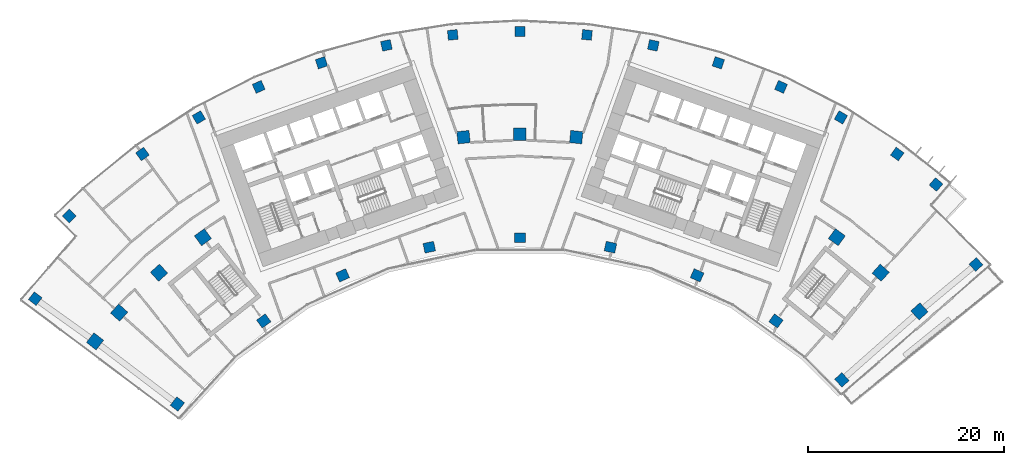
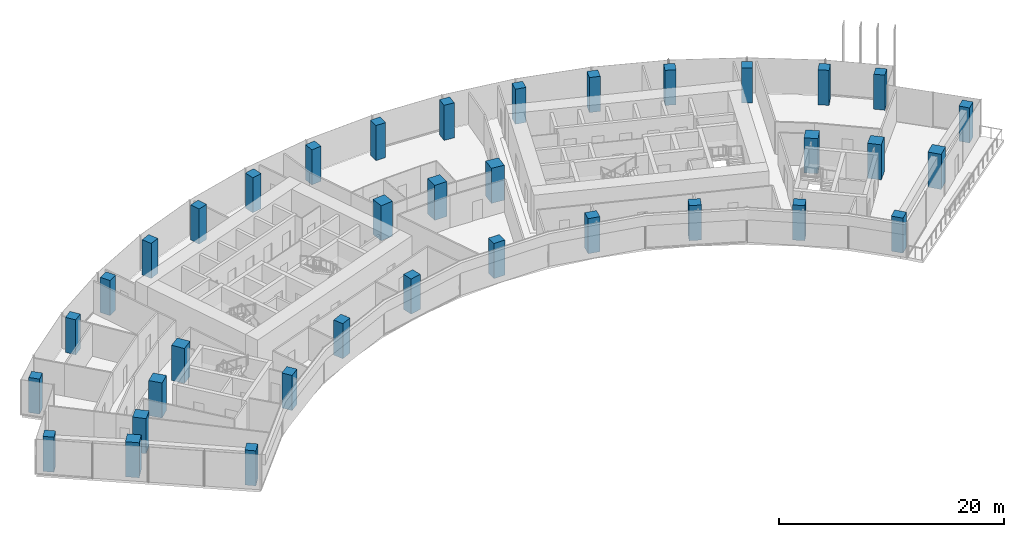
# One storey, part 1 of 20: 36 columns.
"""IFC4 building model written with IfcOpenShell, lengths in metres."""

import ifcopenshell
import ifcopenshell.guid

model = None  # the IFC model being written
_history = None  # IfcOwnerHistory: only IFC2X3 demands one
_inside = {}  # id of a spatial element -> (the spatial element, [elements in it])
_under = {}  # id of a project, library or spatial element -> (it, [spatial elements below it])
_declared = {}  # id of a project -> (the project, [libraries it declares])
_typed = {}  # id of a type object -> (the type object, [elements of that type])
_made_of = {}  # id of a material, layer set ... -> (it, [elements and type objects made of it])


def new_model(schema):
    """Start an empty IFC model of exactly this schema.

    Asked for "IFC4X3", IfcOpenShell would pick the latest addendum, in which some entities
    have other attributes; the version numbers below select the first issue.
    IFC2X3 requires an IfcOwnerHistory on every rooted entity: one is made here for all.
    """
    global model, _history
    if schema == "IFC4X3":
        model = ifcopenshell.file(schema_version=(4, 3, 0, 0))
    else:
        model = ifcopenshell.file(schema=schema)
    _inside.clear()
    _under.clear()
    _declared.clear()
    _typed.clear()
    _made_of.clear()
    _history = None
    if model.schema == "IFC2X3":
        org = make("IfcOrganization", Name="unknown")
        user = make(
            "IfcPersonAndOrganization",
            ThePerson=make("IfcPerson", FamilyName="unknown"),
            TheOrganization=org,
        )
        app = make(
            "IfcApplication",
            ApplicationDeveloper=org,
            Version="unknown",
            ApplicationFullName="unknown",
            ApplicationIdentifier="unknown",
        )
        _history = make(
            "IfcOwnerHistory",
            OwningUser=user,
            OwningApplication=app,
            ChangeAction="ADDED",
            CreationDate=0,
        )
    return model


def make(cls, **values):
    """One entity of the class cls with the attributes given. An attribute that is None is left unset."""
    return model.create_entity(
        cls, **{name: value for name, value in values.items() if value is not None}
    )


def rooted(cls, **values):
    """An entity with a GlobalId (a new one), such as an element, a storey or a relation."""
    return make(cls, GlobalId=ifcopenshell.guid.new(), OwnerHistory=_history, **values)


def si_unit(unit_type, name, prefix=None):
    """IfcSIUnit, for example si_unit("LENGTHUNIT", "METRE", prefix="MILLI")."""
    return make("IfcSIUnit", UnitType=unit_type, Prefix=prefix, Name=name)


def assignment(units):
    """IfcUnitAssignment: the units of a project."""
    return None if units is None else make("IfcUnitAssignment", Units=units)


def point(xyz):
    """IfcCartesianPoint."""
    return None if xyz is None else make("IfcCartesianPoint", Coordinates=xyz)


def direction(xyz):
    """IfcDirection."""
    return None if xyz is None else make("IfcDirection", DirectionRatios=xyz)


def frame(location, z_axis=None, x_axis=None):
    """IfcAxis2Placement3D, a coordinate frame: its origin and axes. An axis left out is left unset."""
    return make(
        "IfcAxis2Placement3D",
        Location=point(location),
        Axis=direction(z_axis),
        RefDirection=direction(x_axis),
    )


def frame_2d(location, x_axis=None):
    """IfcAxis2Placement2D, a coordinate frame in the plane: its origin and x axis."""
    return make(
        "IfcAxis2Placement2D", Location=point(location), RefDirection=direction(x_axis)
    )


def origin():
    """The frame at (0, 0, 0) with its axes left unset."""
    return frame((0.0, 0.0, 0.0))


def origin_2d():
    """The frame at (0, 0) in the plane with its x axis left unset."""
    return frame_2d((0.0, 0.0))


def place(relative_to, where):
    """IfcLocalPlacement: puts the frame where relative to a parent placement (None: the world)."""
    return make(
        "IfcLocalPlacement", PlacementRelTo=relative_to, RelativePlacement=where
    )


def context(
    kind, dimensions, precision=None, world=None, true_north=None, identifier=None
):
    """IfcGeometricRepresentationContext, for example the 3D "Model" context."""
    return make(
        "IfcGeometricRepresentationContext",
        ContextIdentifier=identifier,
        ContextType=kind,
        CoordinateSpaceDimension=dimensions,
        Precision=precision,
        WorldCoordinateSystem=world,
        TrueNorth=true_north,
    )


def subcontext(parent, identifier, kind, view, scale=None):
    """IfcGeometricRepresentationSubContext, for example "Body" below "Model"."""
    return make(
        "IfcGeometricRepresentationSubContext",
        ContextIdentifier=identifier,
        ContextType=kind,
        ParentContext=parent,
        TargetScale=scale,
        TargetView=view,
    )


def project(units=None, contexts=None):
    """IfcProject with its units and contexts."""
    return rooted(
        "IfcProject",
        Name="project",
        RepresentationContexts=contexts,
        UnitsInContext=assignment(units),
    )


def spatial(cls, under=None, at=None, **own):
    """A site, building, storey or space (cls), placed at a placement, below another one or the project."""
    s = rooted(cls, ObjectPlacement=at, **own)
    if under is not None:
        _under.setdefault(under.id(), (under, []))[1].append(s)
    return s


def profile(cls, at=None, kind="AREA", **sizes):
    """A parametric profile (cls). Its sizes go by their IFC names, for example OverallWidth=200.0."""
    return make(cls, ProfileType=kind, Position=at, **sizes)


def rectangle(**sizes):
    """IfcRectangleProfileDef."""
    return profile("IfcRectangleProfileDef", **sizes)


def extrude(swept, where, along, depth):
    """IfcExtrudedAreaSolid: the profile swept, set in the frame where, extruded along a direction by depth."""
    return make(
        "IfcExtrudedAreaSolid",
        SweptArea=swept,
        Position=where,
        ExtrudedDirection=direction(along),
        Depth=depth,
    )


def shape(context_of_items, identifier, shape_type, items):
    """IfcShapeRepresentation: the items that make up one representation, for example the "Body"."""
    return make(
        "IfcShapeRepresentation",
        ContextOfItems=context_of_items,
        RepresentationIdentifier=identifier,
        RepresentationType=shape_type,
        Items=items,
    )


def material(Name=None, Category=None):
    """IfcMaterial."""
    return make("IfcMaterial", Name=Name, Category=Category)


def material_profile(
    of_material, cross_section, Name=None, Category=None, Priority=None
):
    """IfcMaterialProfile: a cross section and its material."""
    return make(
        "IfcMaterialProfile",
        Name=Name,
        Material=of_material,
        Profile=cross_section,
        Priority=Priority,
        Category=Category,
    )


def profile_set(profiles, Name=None, composite=None):
    """IfcMaterialProfileSet."""
    return make(
        "IfcMaterialProfileSet",
        Name=Name,
        MaterialProfiles=profiles,
        CompositeProfile=composite,
    )


def made_of(thing, what):
    """Note that an element or type object is made of a material, layer set ...; save() writes the relation."""
    if what is not None:
        _made_of.setdefault(what.id(), (what, []))[1].append(thing)
    return thing


def type_object(cls, material=None, **own):
    """A type object (cls), such as IfcWallType, which elements share."""
    return made_of(rooted(cls, **own), material)


def element(
    cls,
    number,
    at=None,
    inside=None,
    cuts=None,
    type_object=None,
    material=None,
    context=None,
    identifier="Body",
    shape_type=None,
    held_by="IfcProductDefinitionShape",
    body=None,
    shapes=None,
    **own,
):
    """One element of the class cls, such as IfcWall. Its Tag is "e" and its number.

    at: its placement. inside: the storey or other place that contains it. cuts: it is an
    opening in that element (IfcRelVoidsElement). A single representation is given by context,
    identifier, shape_type and body (its items); several are given by shapes. held_by: the class
    of the entity that holds the representations. save() writes the other relations.
    """
    e = rooted(cls, Tag="e%d" % number, ObjectPlacement=at, **own)
    if body is not None:
        shapes = [shape(context, identifier, shape_type, body)]
    if shapes is not None:
        e.Representation = make(held_by, Representations=shapes)
    if inside is not None:
        _inside.setdefault(inside.id(), (inside, []))[1].append(e)
    if cuts is not None:
        rooted(
            "IfcRelVoidsElement", RelatingBuildingElement=cuts, RelatedOpeningElement=e
        )
    if type_object is not None:
        _typed.setdefault(type_object.id(), (type_object, []))[1].append(e)
    return made_of(e, material)


def aggregate(whole, parts):
    """IfcRelAggregates: a whole, such as a stair, and the parts it consists of."""
    return rooted("IfcRelAggregates", RelatingObject=whole, RelatedObjects=parts)


def save(model, path):
    """Write the relations noted so far, then the file.

    IfcRelAggregates (storeys below a building ...), IfcRelContainedInSpatialStructure (elements
    in a storey), IfcRelDefinesByType, IfcRelAssociatesMaterial and IfcRelDeclares: one each for
    every whole, place, type object, material and project.
    """
    for whole, parts in _under.values():
        aggregate(whole, parts)
    for where, things in _inside.values():
        rooted(
            "IfcRelContainedInSpatialStructure",
            RelatedElements=things,
            RelatingStructure=where,
        )
    for kind, things in _typed.values():
        rooted("IfcRelDefinesByType", RelatedObjects=things, RelatingType=kind)
    for what, things in _made_of.values():
        rooted("IfcRelAssociatesMaterial", RelatedObjects=things, RelatingMaterial=what)
    for by, libraries in _declared.values():
        rooted("IfcRelDeclares", RelatingContext=by, RelatedDefinitions=libraries)
    model.write(path)


model = new_model("IFC4")

# Units and contexts
model_context = context("Model", 3, precision=1e-05, world=origin(), true_north=direction((0.0, 1.0)))
body_context = subcontext(model_context, "Body", "Model", "MODEL_VIEW")
ifc_project = project(units=[si_unit("LENGTHUNIT", "METRE"), si_unit("AREAUNIT", "SQUARE_METRE"), si_unit("VOLUMEUNIT", "CUBIC_METRE"), si_unit("PLANEANGLEUNIT", "RADIAN"), si_unit("MASSUNIT", "GRAM", prefix="KILO")], contexts=[model_context])

# Site, building, storey
site_placement = place(None, origin())
site = spatial("IfcSite", under=ifc_project, at=site_placement, CompositionType="ELEMENT")
building_placement = place(site_placement, origin())
building = spatial("IfcBuilding", under=site, at=building_placement, Name="Stone Belt Terrace Tower", CompositionType="ELEMENT")
storey_placement = place(building_placement, frame((0.0, 0.0, 170.60009765625)))
storey = spatial("IfcBuildingStorey", under=building, at=storey_placement, Name="L41", CompositionType="ELEMENT", Elevation=170.60009765625)

# Columns
ifc_material = material(Name="Concrete B80", Category="concrete")
ifc_material_profile_1 = material_profile(ifc_material, rectangle(XDim=1.0, YDim=1.0, at=origin_2d()), Name="RC 1000x1000")
ifc_profile_set_1 = profile_set([ifc_material_profile_1], Name="Concrete B80")
column_type_1 = type_object("IfcColumnType", Name="Column RC 1000x1000 B80", PredefinedType="COLUMN", material=ifc_profile_set_1)
for number, where, z_axis, x_axis, name in (
    (1, (-49.432861328125, 38.226318359375, 0.0), (0.0, 0.0, 1.0), (0.611730019057, 0.791066611472, 0.0), "Column L41 RA"),
    (2, (46.5244140625, 41.71728515625, 0.0), (0.0, 0.0, 1.0), (0.667594791836, -0.744524810811, 0.0), "Column L41 RB"),
    (3, (-45.95849609375, 46.654296875, 0.0), (0.0, 0.0, 1.0), (0.712398494182, 0.701775167334, 0.0), "Column L41 RNA"),
    (4, (-38.493408203125, 52.981689453125, 0.0), (0.0, 0.0, 1.0), (0.809016994375, 0.587785252292, 0.0), "Column L41 R16"),
    (5, (-32.744384765625, 56.715087890625, 0.0), (0.0, 0.0, 1.0), (0.866025403784, 0.5, 0.0), "Column L41 R17"),
    (6, (-26.63671875, 59.8271484375, 0.0), (0.0, 0.0, 1.0), (0.913545457643, 0.406736643076, 0.0), "Column L41 R18"),
    (7, (-20.2373046875, 62.28369140625, 0.0), (0.0, 0.0, 1.0), (0.951056516295, 0.309016994375, 0.0), "Column L41 R19"),
    (8, (-13.615966796875, 64.057861328125, 0.0), (0.0, 0.0, 1.0), (0.978147600734, 0.207911690818, 0.0), "Column L41 R20"),
    (9, (-6.845458984375, 65.130126953125, 0.0), (0.0, 0.0, 1.0), (0.994521895368, 0.104528463268, 0.0), "Column L41 R21"),
    (10, (0.0, 65.489013671875, 0.0), (0.0, 0.0, 1.0), (1.0, 0.0, 0.0), "Column L41 R22"),
    (11, (6.845458984375, 65.130126953125, 0.0), (0.0, 0.0, 1.0), (0.994521895368, -0.104528463268, 0.0), "Column L41 R23"),
    (12, (13.615966796875, 64.057861328125, 0.0), (0.0, 0.0, 1.0), (0.978147600734, -0.207911690818, 0.0), "Column L41 R24"),
    (13, (20.2373046875, 62.28369140625, 0.0), (0.0, 0.0, 1.0), (0.951056516295, -0.309016994375, 0.0), "Column L41 R25"),
    (14, (26.63671875, 59.8271484375, 0.0), (0.0, 0.0, 1.0), (0.913545457643, -0.406736643076, 0.0), "Column L41 R26"),
    (15, (32.744384765625, 56.715087890625, 0.0), (0.0, 0.0, 1.0), (0.866025403784, -0.5, 0.0), "Column L41 R27"),
    (16, (38.493408203125, 52.981689453125, 0.0), (0.0, 0.0, 1.0), (0.809016994375, -0.587785252292, 0.0), "Column L41 R28"),
    (17, (42.447021484375, 49.870361328125, 0.0), (0.0, 0.0, 1.0), (0.761508896004, -0.648154457908, 0.0), "Column L41 RNB"),
):
    element("IfcColumn", number, at=place(storey_placement, frame(where, z_axis=z_axis, x_axis=x_axis)), inside=storey, type_object=column_type_1, Name=name, PredefinedType="COLUMN", context=body_context, shape_type="SweptSolid", body=[
        extrude(rectangle(XDim=1.0, YDim=1.0, at=origin_2d()), origin(), (0.0, 0.0, 1.0), 3.7998046875),
    ])
ifc_material_profile_2 = material_profile(ifc_material, rectangle(XDim=1.10009765625, YDim=1.0, at=origin_2d()), Name="RC 1100x1000")
ifc_profile_set_2 = profile_set([ifc_material_profile_2], Name="Concrete B80")
column_type_2 = type_object("IfcColumnType", Name="Column RC 1100x1000 B80", PredefinedType="COLUMN", material=ifc_profile_set_2)
for number, where, z_axis, x_axis, name in (
    (18, (-34.93408203125, 27.476806640625, 0.0), (0.0, 0.0, 1.0), (0.618217727677, 0.786006896399, 0.0), "Column L41 PA"),
    (19, (-26.1240234375, 35.956787109375, 0.0), (0.0, 0.0, 1.0), (0.809016994375, 0.587785252292, 0.0), "Column L41 P16"),
    (20, (-18.077392578125, 40.6025390625, 0.0), (0.0, 0.0, 1.0), (0.913545457643, 0.406736643076, 0.0), "Column L41 P18"),
    (21, (-9.240478515625, 43.473876953125, 0.0), (0.0, 0.0, 1.0), (0.978147600734, 0.207911690818, 0.0), "Column L41 P20"),
    (22, (0.0, 44.445068359375, 0.0), (0.0, 0.0, 1.0), (1.0, 0.0, 0.0), "Column L41 P22"),
    (23, (9.240478515625, 43.473876953125, 0.0), (0.0, 0.0, 1.0), (0.978147600734, -0.207911690818, 0.0), "Column L41 P24"),
    (24, (18.077392578125, 40.6025390625, 0.0), (0.0, 0.0, 1.0), (0.913545457643, -0.406736643076, 0.0), "Column L41 P26"),
    (25, (26.1240234375, 35.956787109375, 0.0), (0.0, 0.0, 1.0), (0.809016994375, -0.587785252292, 0.0), "Column L41 P28"),
    (26, (32.84521484375, 29.9423828125, 0.0), (0.0, 0.0, 1.0), (0.673697692172, -0.739007049738, 0.0), "Column L41 PB"),
):
    element("IfcColumn", number, at=place(storey_placement, frame(where, z_axis=z_axis, x_axis=x_axis)), inside=storey, type_object=column_type_2, Name=name, PredefinedType="COLUMN", context=body_context, shape_type="SweptSolid", body=[
        extrude(rectangle(XDim=1.10009765625, YDim=1.0, at=origin_2d()), origin(), (0.0, 0.0, 1.0), 3.7998046875),
    ])
ifc_material_profile_3 = material_profile(ifc_material, rectangle(XDim=1.25, YDim=1.25, at=origin_2d()), Name="RC 1250x1250")
ifc_profile_set_3 = profile_set([ifc_material_profile_3], Name="Concrete B80")
column_type_3 = type_object("IfcColumnType", Name="Column RC 1250x1250 B80", PredefinedType="COLUMN", material=ifc_profile_set_3)
for number, where, z_axis, x_axis, name in (
    (27, (-43.33349609375, 33.870361328125, 0.0), (0.0, 0.0, 1.0), (0.615825127294, 0.787882867306, 0.0), "Column L41 QA"),
    (28, (-40.873046875, 36.80224609375, 0.0), (0.0, 0.0, 1.0), (0.669130606359, 0.743144825477, 0.0), "Column L41 Q14"),
    (29, (-36.80224609375, 40.873046875, 0.0), (0.0, 0.0, 1.0), (0.743144825477, 0.669130606359, 0.0), "Column L41 Q15"),
    (30, (-32.328125, 44.495849609375, 0.0), (0.0, 0.0, 1.0), (0.809016994375, 0.587785252292, 0.0), "Column L41 Q16"),
    (31, (-5.7490234375, 54.69873046875, 0.0), (0.0, 0.0, 1.0), (0.994521895368, 0.104528463268, 0.0), "Column L41 Q21"),
    (32, (0.0, 55.0, 0.0), (0.0, 0.0, 1.0), (1.0, 0.0, 0.0), "Column L41 Q22"),
    (33, (5.7490234375, 54.69873046875, 0.0), (0.0, 0.0, 1.0), (0.994521895368, -0.104528463268, 0.0), "Column L41 Q23"),
    (34, (32.328125, 44.495849609375, 0.0), (0.0, 0.0, 1.0), (0.809016994375, -0.587785252292, 0.0), "Column L41 Q28"),
    (35, (36.80224609375, 40.873046875, 0.0), (0.0, 0.0, 1.0), (0.743144825477, -0.669130606359, 0.0), "Column L41 Q29"),
    (36, (40.7578125, 36.9296875, 0.0), (0.0, 0.0, 1.0), (0.671447731767, -0.741051916876, 0.0), "Column L41 QB"),
):
    element("IfcColumn", number, at=place(storey_placement, frame(where, z_axis=z_axis, x_axis=x_axis)), inside=storey, type_object=column_type_3, Name=name, PredefinedType="COLUMN", context=body_context, shape_type="SweptSolid", body=[
        extrude(rectangle(XDim=1.25, YDim=1.25, at=origin_2d()), origin(), (0.0, 0.0, 1.0), 3.7998046875),
    ])

save(model, "model.ifc")
